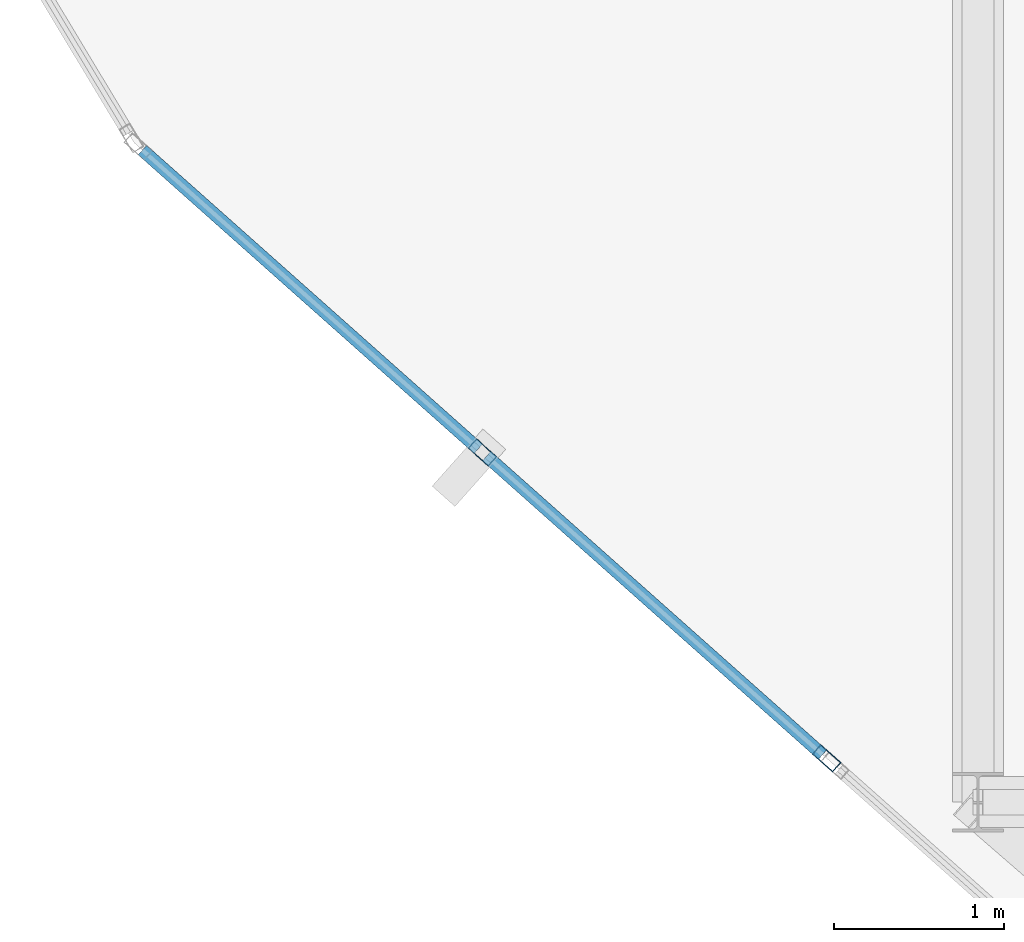
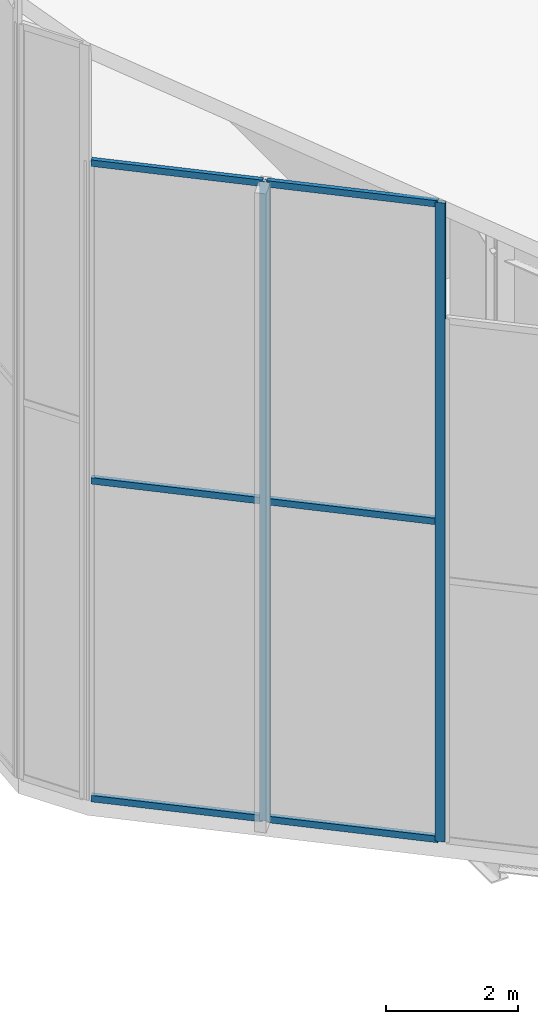
# One storey, part 5 of 74: 8 members, 1 element without a shape of its own.
"""IFC4 building model written with IfcOpenShell, lengths in metres."""

from ifc_helpers import new_model, si_unit, direction, frame, origin, origin_2d, place, context, subcontext, project, spatial, hollow_rectangle, extrude, material, layer, layer_set, material_profile, profile_set, type_object, element, aggregate, save


model = new_model("IFC4")

# Units and contexts
model_context = context("Model", 3, precision=1e-05, world=origin(), true_north=direction((0.0, 1.0)))
body_context = subcontext(model_context, "Body", "Model", "MODEL_VIEW")
ifc_project = project(units=[si_unit("LENGTHUNIT", "METRE"), si_unit("AREAUNIT", "SQUARE_METRE"), si_unit("VOLUMEUNIT", "CUBIC_METRE"), si_unit("PLANEANGLEUNIT", "RADIAN"), si_unit("MASSUNIT", "GRAM", prefix="KILO")], contexts=[model_context])

# Site, building, storey
site_placement = place(None, origin())
site = spatial("IfcSite", under=ifc_project, at=site_placement, CompositionType="ELEMENT")
building_placement = place(site_placement, origin())
building = spatial("IfcBuilding", under=site, at=building_placement, Name="Keshet Zoharim Tower", CompositionType="ELEMENT")
storey_placement = place(building_placement, frame((0.0, 0.0, 320.0)))
storey = spatial("IfcBuildingStorey", under=building, at=storey_placement, Name="RF", CompositionType="ELEMENT", Elevation=320.0)

# Curtain wall, members
ifc_material = material(Name="Aluminium 6063-T6", Category="aluminium")
ifc_layer = layer(ifc_material, 0.260009765625)
ifc_layer_set = layer_set([ifc_layer], Name="Aluminium 6063-T6")
curtain_wall_type = type_object("IfcCurtainWallType", Name="CW-SYS-06", PredefinedType="NOTDEFINED", material=ifc_layer_set)
curtain_wall_placement = place(storey_placement, origin())
curtain_wall = element("IfcCurtainWall", 1, at=curtain_wall_placement, inside=storey, type_object=curtain_wall_type, Name="Slanted Crown Curtain Wall 36", PredefinedType="NOTDEFINED")
ifc_material_profile_1 = material_profile(ifc_material, hollow_rectangle(XDim=0.074951171875, YDim=0.159912109375, WallThickness=0.00390625, at=origin_2d()), Name="MUL-75x160")
ifc_profile_set_1 = profile_set([ifc_material_profile_1], Name="Aluminium 6063-T6")
member_type_1 = type_object("IfcMemberType", Name="CWM-M15", PredefinedType="MULLION", material=ifc_profile_set_1)
member_1_placement = place(storey_placement, frame((8.109619140625, 18.15771484375, 0.0), z_axis=(0.0, 0.0, 1.0), x_axis=(-0.664409105651, -0.747369079055, 0.0)))
member_1 = element("IfcMember", 2, at=member_1_placement, type_object=member_type_1, Name="CW-06 mullion 1", PredefinedType="MULLION", context=body_context, shape_type="SweptSolid", body=[
    extrude(hollow_rectangle(XDim=0.074951171875, YDim=0.159912109375, WallThickness=0.00390625, at=origin_2d()), origin(), (0.0, 0.0, 1.0), 11.79296875),
])
member_2_placement = place(storey_placement, frame((6.08447265625, 19.9580078125, 0.0), z_axis=(0.0, 0.0, 1.0), x_axis=(-0.664409105651, -0.747369079055, 0.0)))
member_2 = element("IfcMember", 3, at=member_2_placement, type_object=member_type_1, Name="CW-06 mullion 2", PredefinedType="MULLION", context=body_context, shape_type="SweptSolid", body=[
    extrude(hollow_rectangle(XDim=0.074951171875, YDim=0.159912109375, WallThickness=0.00390625, at=origin_2d()), origin(), (0.0, 0.0, 1.0), 11.79296875),
])
ifc_material_profile_2 = material_profile(ifc_material, hollow_rectangle(XDim=0.074951171875, YDim=0.1201171875, WallThickness=0.00390625, at=origin_2d()), Name="TRN-75x120")
ifc_profile_set_2 = profile_set([ifc_material_profile_2], Name="Aluminium 6063-T6")
member_type_2 = type_object("IfcMemberType", Name="CWT-T12", PredefinedType="USERDEFINED", material=ifc_profile_set_2)
member_3_placement = place(storey_placement, frame((8.08544921875, 18.17919921875, 0.032470703125), z_axis=(-0.74733801322, 0.664444048809, 0.0), x_axis=(-0.664444048809, -0.74733801322, 0.0)))
member_3 = element("IfcMember", 4, at=member_3_placement, type_object=member_type_2, Name="CW-06 transom 1.1", ObjectType="TRANSOM", PredefinedType="USERDEFINED", context=body_context, shape_type="SweptSolid", body=[
    extrude(hollow_rectangle(XDim=0.074951171875, YDim=0.1201171875, WallThickness=0.00390625, at=origin_2d()), origin(), (0.0, 0.0, 1.0), 2.644775390625),
])
member_4_placement = place(storey_placement, frame((8.08544921875, 18.17919921875, 5.89697265625), z_axis=(-0.74733801322, 0.664444048809, 0.0), x_axis=(-0.664444048809, -0.74733801322, 0.0)))
member_4 = element("IfcMember", 5, at=member_4_placement, type_object=member_type_2, Name="CW-06 transom 1.2", ObjectType="TRANSOM", PredefinedType="USERDEFINED", context=body_context, shape_type="SweptSolid", body=[
    extrude(hollow_rectangle(XDim=0.074951171875, YDim=0.1201171875, WallThickness=0.00390625, at=origin_2d()), origin(), (0.0, 0.0, 1.0), 2.644775390625),
])
member_5_placement = place(storey_placement, frame((8.08544921875, 18.17919921875, 11.760498046875), z_axis=(-0.74733801322, 0.664444048809, 0.0), x_axis=(-0.664444048809, -0.74733801322, 0.0)))
member_5 = element("IfcMember", 6, at=member_5_placement, type_object=member_type_2, Name="CW-06 transom 1.3", ObjectType="TRANSOM", PredefinedType="USERDEFINED", context=body_context, shape_type="SweptSolid", body=[
    extrude(hollow_rectangle(XDim=0.074951171875, YDim=0.1201171875, WallThickness=0.00390625, at=origin_2d()), origin(), (0.0, 0.0, 1.0), 2.644775390625),
])
member_6_placement = place(storey_placement, frame((6.060302734375, 19.9794921875, 0.032470703125), z_axis=(-0.747378762361, 0.664398213101, 0.0), x_axis=(-0.664398213101, -0.747378762361, 0.0)))
member_6 = element("IfcMember", 7, at=member_6_placement, type_object=member_type_2, Name="CW-06 transom 2.1", ObjectType="TRANSOM", PredefinedType="USERDEFINED", context=body_context, shape_type="SweptSolid", body=[
    extrude(hollow_rectangle(XDim=0.074951171875, YDim=0.1201171875, WallThickness=0.00390625, at=origin_2d()), origin(), (0.0, 0.0, 1.0), 2.64501953125),
])
member_7_placement = place(storey_placement, frame((6.060302734375, 19.9794921875, 5.89697265625), z_axis=(-0.747378762361, 0.664398213101, 0.0), x_axis=(-0.664398213101, -0.747378762361, 0.0)))
member_7 = element("IfcMember", 8, at=member_7_placement, type_object=member_type_2, Name="CW-06 transom 2.2", ObjectType="TRANSOM", PredefinedType="USERDEFINED", context=body_context, shape_type="SweptSolid", body=[
    extrude(hollow_rectangle(XDim=0.074951171875, YDim=0.1201171875, WallThickness=0.00390625, at=origin_2d()), origin(), (0.0, 0.0, 1.0), 2.64501953125),
])
member_8_placement = place(storey_placement, frame((6.060302734375, 19.9794921875, 11.760498046875), z_axis=(-0.747378762361, 0.664398213101, 0.0), x_axis=(-0.664398213101, -0.747378762361, 0.0)))
member_8 = element("IfcMember", 9, at=member_8_placement, type_object=member_type_2, Name="CW-06 transom 2.3", ObjectType="TRANSOM", PredefinedType="USERDEFINED", context=body_context, shape_type="SweptSolid", body=[
    extrude(hollow_rectangle(XDim=0.074951171875, YDim=0.1201171875, WallThickness=0.00390625, at=origin_2d()), origin(), (0.0, 0.0, 1.0), 2.64501953125),
])
aggregate(curtain_wall, [member_1, member_2, member_3, member_4, member_5, member_6, member_7, member_8])

save(model, "model.ifc")
